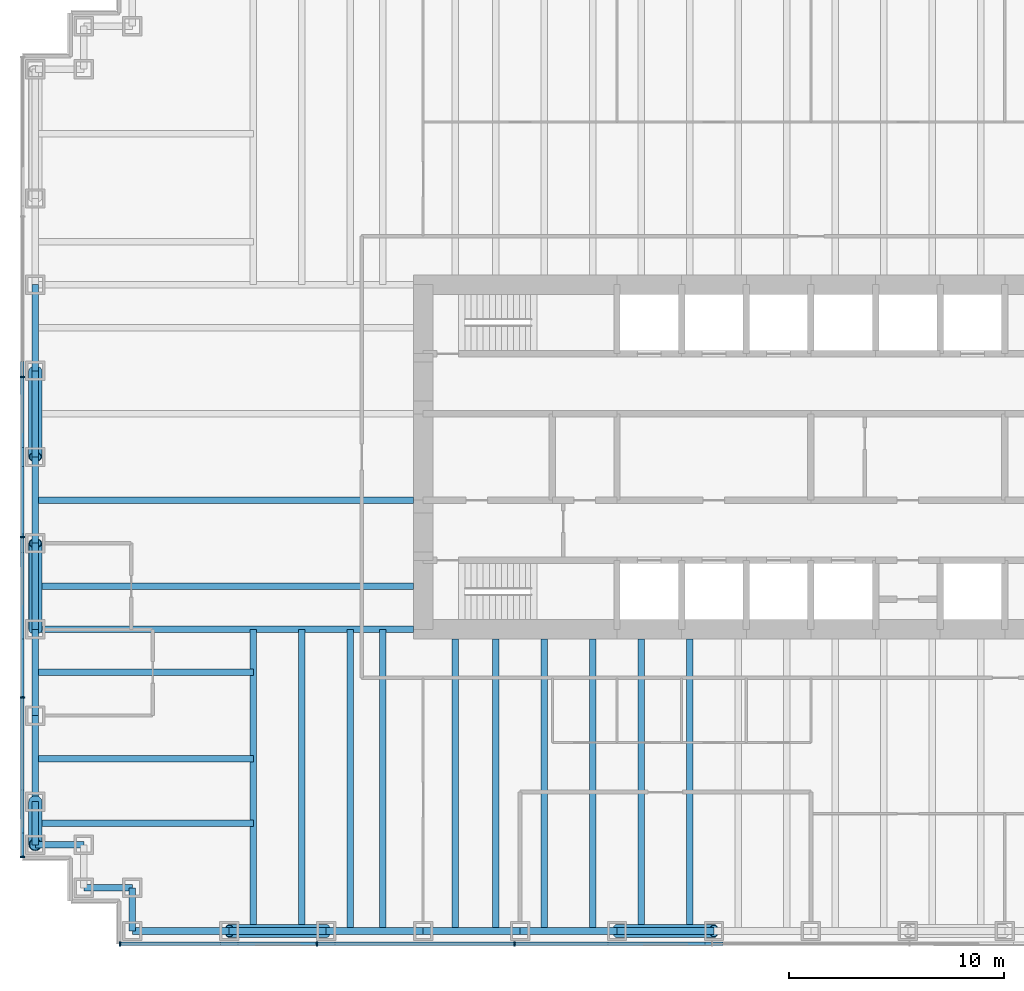
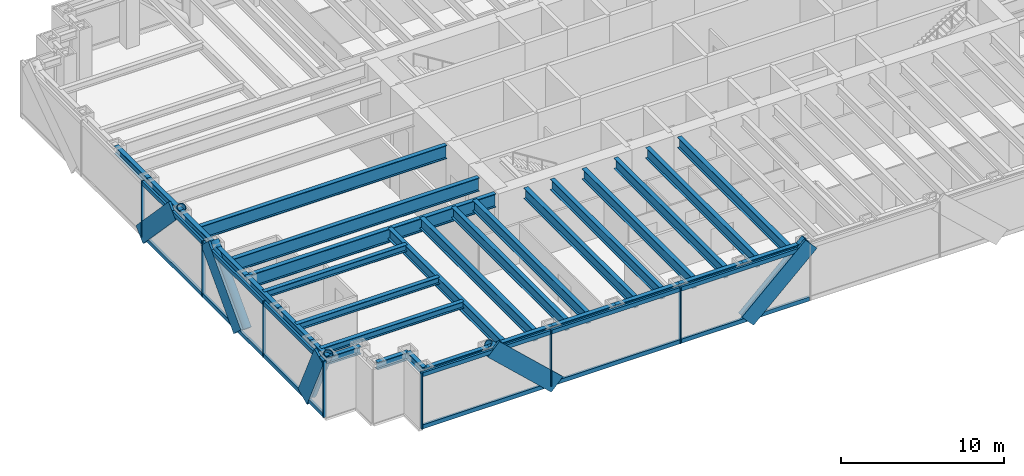
# One storey, part 2 of 15: 32 beams, 29 members, 2 elements without a shape of their own.
"""IFC4 building model written with IfcOpenShell, lengths in metres."""

from ifc_helpers import new_model, si_unit, direction, frame, origin, origin_2d, place, context, subcontext, project, spatial, rectangle, hollow_circle, i_section, extrude, material, material_profile, profile_set, type_object, element, aggregate, save


model = new_model("IFC4")

# Units and contexts
model_context = context("Model", 3, precision=1e-05, world=origin(), true_north=direction((0.0, 1.0)))
body_context = subcontext(model_context, "Body", "Model", "MODEL_VIEW")
ifc_project = project(units=[si_unit("LENGTHUNIT", "METRE"), si_unit("AREAUNIT", "SQUARE_METRE"), si_unit("VOLUMEUNIT", "CUBIC_METRE"), si_unit("PLANEANGLEUNIT", "RADIAN"), si_unit("MASSUNIT", "GRAM", prefix="KILO")], contexts=[model_context])

# Site, building, storey
site_placement = place(None, origin())
site = spatial("IfcSite", under=ifc_project, at=site_placement, CompositionType="ELEMENT")
building_placement = place(site_placement, origin())
building = spatial("IfcBuilding", under=site, at=building_placement, Name="Rheinbord Bourse Tower", CompositionType="ELEMENT")
storey_placement = place(building_placement, frame((0.0, 0.0, 117.300048828125)))
storey = spatial("IfcBuildingStorey", under=building, at=storey_placement, Name="L25", CompositionType="ELEMENT", Elevation=117.300048828125)

# Curtain wall, members
ifc_material_1 = material(Name="Dark glass and black aluminium", Category="aluminium")
curtain_wall_type = type_object("IfcCurtainWallType", Name="CW2 DARK GLASS CURTAIN WALL", PredefinedType="USERDEFINED", material=ifc_material_1)
curtain_wall_1_placement = place(storey_placement, origin())
curtain_wall_1 = element("IfcCurtainWall", 1, at=curtain_wall_1_placement, inside=storey, type_object=curtain_wall_type, Name="Curtain wall CW2 S L25", ObjectType="UNITISED CURTAIN WALL", PredefinedType="USERDEFINED")
ifc_material_2 = material(Name="Black anodised aluminium", Category="aluminium")
ifc_material_profile_1 = material_profile(ifc_material_2, rectangle(XDim=0.159912109375, YDim=1.2099609375, at=origin_2d()), Name="CW2 DIAGONAL MULLION 1210x160")
ifc_profile_set_1 = profile_set([ifc_material_profile_1], Name="Black anodised aluminium")
member_type_1 = type_object("IfcMemberType", Name="CW2 BLACK DIAGONAL MULLION", PredefinedType="USERDEFINED", material=ifc_profile_set_1)
member_1_placement = place(storey_placement, frame((13.5, 1.39990234375, 0.0), z_axis=(-0.73105922506, 0.0, 0.682314010889), x_axis=(0.0, -1.0, 0.0)))
member_1 = element("IfcMember", 2, at=member_1_placement, type_object=member_type_1, Name="CW2 diagonal mullion a", ObjectType="DIAGONAL MULLION", PredefinedType="USERDEFINED", context=body_context, shape_type="SweptSolid", body=[
    extrude(rectangle(XDim=0.159912109375, YDim=1.2099609375, at=origin_2d()), origin(), (0.0, 0.0, 1.0), 6.155517578125),
])
member_2_placement = place(storey_placement, frame((27.0, 1.39990234375, 0.0), z_axis=(0.73105922506, 0.0, 0.682314010889), x_axis=(0.0, 1.0, 0.0)))
member_2 = element("IfcMember", 3, at=member_2_placement, type_object=member_type_1, Name="CW2 diagonal mullion c", ObjectType="DIAGONAL MULLION", PredefinedType="USERDEFINED", context=body_context, shape_type="SweptSolid", body=[
    extrude(rectangle(XDim=0.159912109375, YDim=1.2099609375, at=origin_2d()), origin(), (0.0, 0.0, 1.0), 6.155517578125),
])

curtain_wall_2_placement = place(storey_placement, origin())
curtain_wall_2 = element("IfcCurtainWall", 4, at=curtain_wall_2_placement, inside=storey, type_object=curtain_wall_type, Name="Curtain wall CW2 W L25", ObjectType="UNITISED CURTAIN WALL", PredefinedType="USERDEFINED")
member_3_placement = place(storey_placement, frame((-0.60009765625, 8.0, 0.0), z_axis=(0.0, -0.429937654825, 0.902858578607), x_axis=(1.0, 0.0, 0.0)))
member_3 = element("IfcMember", 5, at=member_3_placement, type_object=member_type_1, Name="CW2 diagonal mullion b", ObjectType="DIAGONAL MULLION", PredefinedType="USERDEFINED", context=body_context, shape_type="SweptSolid", body=[
    extrude(rectangle(XDim=0.159912109375, YDim=1.2099609375, at=origin_2d()), origin(), (0.0, 0.0, 1.0), 4.65185546875),
])
member_4_placement = place(storey_placement, frame((-0.60009765625, 28.0, 0.0), z_axis=(0.0, -0.689659376744, 0.724133926887), x_axis=(1.0, 0.0, 0.0)))
member_4 = element("IfcMember", 6, at=member_4_placement, type_object=member_type_1, Name="CW2 diagonal mullion c", ObjectType="DIAGONAL MULLION", PredefinedType="USERDEFINED", context=body_context, shape_type="SweptSolid", body=[
    extrude(rectangle(XDim=0.159912109375, YDim=1.2099609375, at=origin_2d()), origin(), (0.0, 0.0, 1.0), 5.800048828125),
])
member_5_placement = place(storey_placement, frame((-0.60009765625, 16.0, 0.0), z_axis=(0.0, 0.689659376744, 0.724133926887), x_axis=(-1.0, 0.0, 0.0)))
member_5 = element("IfcMember", 7, at=member_5_placement, type_object=member_type_1, Name="CW2 diagonal mullion d", ObjectType="DIAGONAL MULLION", PredefinedType="USERDEFINED", context=body_context, shape_type="SweptSolid", body=[
    extrude(rectangle(XDim=0.159912109375, YDim=1.2099609375, at=origin_2d()), origin(), (0.0, 0.0, 1.0), 5.800048828125),
])

# Member
ifc_material_3 = material(Name="Black anodised aluminium", Category="aluminium")
ifc_material_profile_2 = material_profile(ifc_material_3, rectangle(XDim=0.219970703125, YDim=0.070068359375, at=origin_2d()), Name="CW2 MULLION 70x220")
ifc_profile_set_2 = profile_set([ifc_material_profile_2], Name="Black anodised aluminium")
member_type_2 = type_object("IfcMemberType", Name="CW2 BLACK MULLION", PredefinedType="MULLION", material=ifc_profile_set_2)
member_6_placement = place(storey_placement, frame((3.93505859375, 1.39990234375, 0.0), z_axis=(0.0, 0.0, 1.0), x_axis=(0.0, 1.0, 0.0)))
member_6 = element("IfcMember", 8, at=member_6_placement, type_object=member_type_2, Name="CW2 mullion 1", PredefinedType="MULLION", context=body_context, shape_type="SweptSolid", body=[
    extrude(rectangle(XDim=0.219970703125, YDim=0.070068359375, at=origin_2d()), origin(), (0.0, 0.0, 1.0), 4.199951171875),
])

member_7_placement = place(storey_placement, frame((13.071533203125, 1.39990234375, 0.0), z_axis=(0.0, 0.0, 1.0), x_axis=(0.0, 1.0, 0.0)))
member_7 = element("IfcMember", 9, at=member_7_placement, type_object=member_type_2, Name="CW2 mullion 2", PredefinedType="MULLION", context=body_context, shape_type="SweptSolid", body=[
    extrude(rectangle(XDim=0.219970703125, YDim=0.070068359375, at=origin_2d()), origin(), (0.0, 0.0, 1.0), 4.199951171875),
])

member_8_placement = place(storey_placement, frame((22.242919921875, 1.39990234375, 0.0), z_axis=(0.0, 0.0, 1.0), x_axis=(0.0, 1.0, 0.0)))
member_8 = element("IfcMember", 10, at=member_8_placement, type_object=member_type_2, Name="CW2 mullion 3", PredefinedType="MULLION", context=body_context, shape_type="SweptSolid", body=[
    extrude(rectangle(XDim=0.219970703125, YDim=0.070068359375, at=origin_2d()), origin(), (0.0, 0.0, 1.0), 4.199951171875),
])

member_9_placement = place(storey_placement, frame((-0.60009765625, 27.719970703125, 0.0), z_axis=(0.0, 0.0, 1.0), x_axis=(1.0, 0.0, 0.0)))
member_9 = element("IfcMember", 11, at=member_9_placement, type_object=member_type_2, Name="CW2 mullion 3", PredefinedType="MULLION", context=body_context, shape_type="SweptSolid", body=[
    extrude(rectangle(XDim=0.219970703125, YDim=0.070068359375, at=origin_2d()), origin(), (0.0, 0.0, 1.0), 4.199951171875),
])

member_10_placement = place(storey_placement, frame((-0.60009765625, 20.280029296875, 0.0), z_axis=(0.0, 0.0, 1.0), x_axis=(1.0, 0.0, 0.0)))
member_10 = element("IfcMember", 12, at=member_10_placement, type_object=member_type_2, Name="CW2 mullion 4", PredefinedType="MULLION", context=body_context, shape_type="SweptSolid", body=[
    extrude(rectangle(XDim=0.219970703125, YDim=0.070068359375, at=origin_2d()), origin(), (0.0, 0.0, 1.0), 4.199951171875),
])

member_11_placement = place(storey_placement, frame((-0.60009765625, 12.840087890625, 0.0), z_axis=(0.0, 0.0, 1.0), x_axis=(1.0, 0.0, 0.0)))
member_11 = element("IfcMember", 13, at=member_11_placement, type_object=member_type_2, Name="CW2 mullion 5", PredefinedType="MULLION", context=body_context, shape_type="SweptSolid", body=[
    extrude(rectangle(XDim=0.219970703125, YDim=0.070068359375, at=origin_2d()), origin(), (0.0, 0.0, 1.0), 4.199951171875),
])

member_12_placement = place(storey_placement, frame((-0.60009765625, 5.43505859375, 0.0), z_axis=(0.0, 0.0, 1.0), x_axis=(1.0, 0.0, 0.0)))
member_12 = element("IfcMember", 14, at=member_12_placement, type_object=member_type_2, Name="CW2 mullion 6", PredefinedType="MULLION", context=body_context, shape_type="SweptSolid", body=[
    extrude(rectangle(XDim=0.219970703125, YDim=0.070068359375, at=origin_2d()), origin(), (0.0, 0.0, 1.0), 4.199951171875),
])

ifc_material_4 = material(Name="Black anodised aluminium", Category="aluminium")
ifc_material_profile_3 = material_profile(ifc_material_4, rectangle(XDim=0.159912109375, YDim=0.300048828125, at=origin_2d()), Name="CW2 TRANSOM 300x160")
ifc_profile_set_3 = profile_set([ifc_material_profile_3], Name="Black anodised aluminium")
member_type_3 = type_object("IfcMemberType", Name="CW2 BLACK TRANSOM", PredefinedType="USERDEFINED", material=ifc_profile_set_3)
member_13_placement = place(storey_placement, frame((3.969970703125, 1.39990234375, 0.14990234375), z_axis=(1.0, 0.0, 0.0), x_axis=(0.0, 1.0, 0.0)))
member_13 = element("IfcMember", 15, at=member_13_placement, type_object=member_type_3, Name="CW2 transom 1.1", ObjectType="TRANSOM", PredefinedType="USERDEFINED", context=body_context, shape_type="SweptSolid", body=[
    extrude(rectangle(XDim=0.159912109375, YDim=0.300048828125, at=origin_2d()), origin(), (0.0, 0.0, 1.0), 9.06640625),
])

member_14_placement = place(storey_placement, frame((3.969970703125, 1.39990234375, 4.050048828125), z_axis=(1.0, 0.0, 0.0), x_axis=(0.0, 1.0, 0.0)))
member_14 = element("IfcMember", 16, at=member_14_placement, type_object=member_type_3, Name="CW2 transom 1.2", ObjectType="TRANSOM", PredefinedType="USERDEFINED", context=body_context, shape_type="SweptSolid", body=[
    extrude(rectangle(XDim=0.159912109375, YDim=0.300048828125, at=origin_2d()), origin(), (0.0, 0.0, 1.0), 9.06640625),
])

member_15_placement = place(storey_placement, frame((13.1064453125, 1.39990234375, 0.14990234375), z_axis=(1.0, 0.0, 0.0), x_axis=(0.0, 1.0, 0.0)))
member_15 = element("IfcMember", 17, at=member_15_placement, type_object=member_type_3, Name="CW2 transom 2.1", ObjectType="TRANSOM", PredefinedType="USERDEFINED", context=body_context, shape_type="SweptSolid", body=[
    extrude(rectangle(XDim=0.159912109375, YDim=0.300048828125, at=origin_2d()), origin(), (0.0, 0.0, 1.0), 9.101318359375),
])

member_16_placement = place(storey_placement, frame((13.1064453125, 1.39990234375, 4.050048828125), z_axis=(1.0, 0.0, 0.0), x_axis=(0.0, 1.0, 0.0)))
member_16 = element("IfcMember", 18, at=member_16_placement, type_object=member_type_3, Name="CW2 transom 2.2", ObjectType="TRANSOM", PredefinedType="USERDEFINED", context=body_context, shape_type="SweptSolid", body=[
    extrude(rectangle(XDim=0.159912109375, YDim=0.300048828125, at=origin_2d()), origin(), (0.0, 0.0, 1.0), 9.101318359375),
])

member_17_placement = place(storey_placement, frame((22.27783203125, 1.39990234375, 0.14990234375), z_axis=(1.0, 0.0, 0.0), x_axis=(0.0, 1.0, 0.0)))
member_17 = element("IfcMember", 19, at=member_17_placement, type_object=member_type_3, Name="CW2 transom 3.1", ObjectType="TRANSOM", PredefinedType="USERDEFINED", context=body_context, shape_type="SweptSolid", body=[
    extrude(rectangle(XDim=0.159912109375, YDim=0.300048828125, at=origin_2d()), origin(), (0.0, 0.0, 1.0), 9.1015625),
])

member_18_placement = place(storey_placement, frame((22.27783203125, 1.39990234375, 4.050048828125), z_axis=(1.0, 0.0, 0.0), x_axis=(0.0, 1.0, 0.0)))
member_18 = element("IfcMember", 20, at=member_18_placement, type_object=member_type_3, Name="CW2 transom 3.2", ObjectType="TRANSOM", PredefinedType="USERDEFINED", context=body_context, shape_type="SweptSolid", body=[
    extrude(rectangle(XDim=0.159912109375, YDim=0.300048828125, at=origin_2d()), origin(), (0.0, 0.0, 1.0), 9.1015625),
])

aggregate(curtain_wall_1, [member_6, member_7, member_8, member_13, member_14, member_15, member_16, member_17, member_18, member_1, member_2])

member_19_placement = place(storey_placement, frame((-0.60009765625, 27.68505859375, 0.14990234375), z_axis=(0.0, -1.0, 0.0), x_axis=(1.0, 0.0, 0.0)))
member_19 = element("IfcMember", 21, at=member_19_placement, type_object=member_type_3, Name="CW2 transom 3.1", ObjectType="TRANSOM", PredefinedType="USERDEFINED", context=body_context, shape_type="SweptSolid", body=[
    extrude(rectangle(XDim=0.159912109375, YDim=0.300048828125, at=origin_2d()), origin(), (0.0, 0.0, 1.0), 7.3701171875),
])

member_20_placement = place(storey_placement, frame((-0.60009765625, 27.68505859375, 4.050048828125), z_axis=(0.0, -1.0, 0.0), x_axis=(1.0, 0.0, 0.0)))
member_20 = element("IfcMember", 22, at=member_20_placement, type_object=member_type_3, Name="CW2 transom 3.2", ObjectType="TRANSOM", PredefinedType="USERDEFINED", context=body_context, shape_type="SweptSolid", body=[
    extrude(rectangle(XDim=0.159912109375, YDim=0.300048828125, at=origin_2d()), origin(), (0.0, 0.0, 1.0), 7.3701171875),
])

member_21_placement = place(storey_placement, frame((-0.60009765625, 20.2451171875, 0.14990234375), z_axis=(0.0, -1.0, 0.0), x_axis=(1.0, 0.0, 0.0)))
member_21 = element("IfcMember", 23, at=member_21_placement, type_object=member_type_3, Name="CW2 transom 4.1", ObjectType="TRANSOM", PredefinedType="USERDEFINED", context=body_context, shape_type="SweptSolid", body=[
    extrude(rectangle(XDim=0.159912109375, YDim=0.300048828125, at=origin_2d()), origin(), (0.0, 0.0, 1.0), 7.3701171875),
])

member_22_placement = place(storey_placement, frame((-0.60009765625, 20.2451171875, 4.050048828125), z_axis=(0.0, -1.0, 0.0), x_axis=(1.0, 0.0, 0.0)))
member_22 = element("IfcMember", 24, at=member_22_placement, type_object=member_type_3, Name="CW2 transom 4.2", ObjectType="TRANSOM", PredefinedType="USERDEFINED", context=body_context, shape_type="SweptSolid", body=[
    extrude(rectangle(XDim=0.159912109375, YDim=0.300048828125, at=origin_2d()), origin(), (0.0, 0.0, 1.0), 7.3701171875),
])

member_23_placement = place(storey_placement, frame((-0.60009765625, 12.804931640625, 0.14990234375), z_axis=(0.0, -1.0, 0.0), x_axis=(1.0, 0.0, 0.0)))
member_23 = element("IfcMember", 25, at=member_23_placement, type_object=member_type_3, Name="CW2 transom 5.1", ObjectType="TRANSOM", PredefinedType="USERDEFINED", context=body_context, shape_type="SweptSolid", body=[
    extrude(rectangle(XDim=0.159912109375, YDim=0.300048828125, at=origin_2d()), origin(), (0.0, 0.0, 1.0), 7.3349609375),
])

member_24_placement = place(storey_placement, frame((-0.60009765625, 12.804931640625, 4.050048828125), z_axis=(0.0, -1.0, 0.0), x_axis=(1.0, 0.0, 0.0)))
member_24 = element("IfcMember", 26, at=member_24_placement, type_object=member_type_3, Name="CW2 transom 5.2", ObjectType="TRANSOM", PredefinedType="USERDEFINED", context=body_context, shape_type="SweptSolid", body=[
    extrude(rectangle(XDim=0.159912109375, YDim=0.300048828125, at=origin_2d()), origin(), (0.0, 0.0, 1.0), 7.3349609375),
])

aggregate(curtain_wall_2, [member_9, member_10, member_11, member_12, member_19, member_20, member_21, member_22, member_23, member_24, member_3, member_4, member_5])

# Beams
ifc_material_5 = material(Name="Steel S460", Category="steel")
ifc_material_profile_4 = material_profile(ifc_material_5, i_section(OverallWidth=0.302001953125, OverallDepth=1.008056640625, WebThickness=0.02099609375, FlangeThickness=0.0400390625, at=origin_2d()), Name="HEM 1000")
ifc_profile_set_4 = profile_set([ifc_material_profile_4], Name="Steel S460")
beam_type_1 = type_object("IfcBeamType", Name="END BEAM HEM 1000", PredefinedType="BEAM", material=ifc_profile_set_4)
for number, where, z_axis, x_axis, name in (
    (27, (0.0, 18.0, 3.535888671875), (1.0, 0.0, 0.0), (0.0, 1.0, 0.0), "End beam west 18 L26"),
    (28, (0.0, 22.0, 3.535888671875), (1.0, 0.0, 0.0), (0.0, 1.0, 0.0), "End beam west 22 L26"),
):
    element("IfcBeam", number, at=place(storey_placement, frame(where, z_axis=z_axis, x_axis=x_axis)), inside=storey, type_object=beam_type_1, Name=name, PredefinedType="BEAM", context=body_context, shape_type="SweptSolid", body=[
        extrude(i_section(OverallWidth=0.302001953125, OverallDepth=1.008056640625, WebThickness=0.02099609375, FlangeThickness=0.0400390625, at=origin_2d()), origin(), (0.0, 0.0, 1.0), 17.550048828125),
    ])
ifc_material_6 = material(Name="Steel S460", Category="steel")
ifc_material_profile_5 = material_profile(ifc_material_6, i_section(OverallWidth=0.300048828125, OverallDepth=0.800048828125, WebThickness=0.017578125, FlangeThickness=0.032958984375, at=origin_2d()), Name="HEB 800")
ifc_profile_set_5 = profile_set([ifc_material_profile_5], Name="Steel S460")
beam_type_2 = type_object("IfcBeamType", Name="FLOOR BEAM HEB 800", PredefinedType="BEAM", material=ifc_profile_set_5)
for number, where, z_axis, x_axis, name in (
    (29, (10.125, 2.0, 3.639892578125), (0.0, 1.0, 0.0), (-1.0, 0.0, 0.0), "Floor beam S-9a L26"),
    (30, (12.375, 2.0, 3.639892578125), (0.0, 1.0, 0.0), (-1.0, 0.0, 0.0), "Floor beam S-9b L26"),
    (31, (14.625, 2.0, 3.639892578125), (0.0, 1.0, 0.0), (-1.0, 0.0, 0.0), "Floor beam S-13.5a L26"),
    (32, (16.125, 2.0, 3.639892578125), (0.0, 1.0, 0.0), (-1.0, 0.0, 0.0), "Floor beam S-13.5b L26"),
):
    element("IfcBeam", number, at=place(storey_placement, frame(where, z_axis=z_axis, x_axis=x_axis)), inside=storey, type_object=beam_type_2, Name=name, PredefinedType="BEAM", context=body_context, shape_type="SweptSolid", body=[
        extrude(i_section(OverallWidth=0.300048828125, OverallDepth=0.800048828125, WebThickness=0.017578125, FlangeThickness=0.032958984375, at=origin_2d()), origin(), (0.0, 0.0, 1.0), 14.0),
    ])
for number, where, z_axis, x_axis, name in (
    (33, (19.5, 2.0, 3.639892578125), (0.0, 1.0, 0.0), (-1.0, 0.0, 0.0), "Floor beam S-18a L26"),
    (34, (21.375, 2.0, 3.639892578125), (0.0, 1.0, 0.0), (-1.0, 0.0, 0.0), "Floor beam S-18b L26"),
    (35, (23.625, 2.0, 3.639892578125), (0.0, 1.0, 0.0), (-1.0, 0.0, 0.0), "Floor beam S-22.5a L26"),
    (36, (25.875, 2.0, 3.639892578125), (0.0, 1.0, 0.0), (-1.0, 0.0, 0.0), "Floor beam S-22.5b L26"),
    (37, (28.125, 2.0, 3.639892578125), (0.0, 1.0, 0.0), (-1.0, 0.0, 0.0), "Floor beam S-27a L26"),
    (38, (30.375, 2.0, 3.639892578125), (0.0, 1.0, 0.0), (-1.0, 0.0, 0.0), "Floor beam S-27b L26"),
):
    element("IfcBeam", number, at=place(storey_placement, frame(where, z_axis=z_axis, x_axis=x_axis)), inside=storey, type_object=beam_type_2, Name=name, PredefinedType="BEAM", context=body_context, shape_type="SweptSolid", body=[
        extrude(i_section(OverallWidth=0.300048828125, OverallDepth=0.800048828125, WebThickness=0.017578125, FlangeThickness=0.032958984375, at=origin_2d()), origin(), (0.0, 0.0, 1.0), 13.550048828125),
    ])
ifc_material_7 = material(Name="Steel S460", Category="steel")
ifc_material_profile_6 = material_profile(ifc_material_7, i_section(OverallWidth=0.302001953125, OverallDepth=1.008056640625, WebThickness=0.02099609375, FlangeThickness=0.0400390625, at=origin_2d()), Name="HEM 1000")
ifc_profile_set_6 = profile_set([ifc_material_profile_6], Name="Steel S460")
beam_type_3 = type_object("IfcBeamType", Name="GIRDER HEM 1000", PredefinedType="BEAM", material=ifc_profile_set_6)
beam_1_placement = place(storey_placement, frame((0.0, 16.0, 3.535888671875), z_axis=(1.0, 0.0, 0.0), x_axis=(0.0, 1.0, 0.0)))
element("IfcBeam", 39, at=beam_1_placement, inside=storey, type_object=beam_type_3, Name="Girder west 16 L26", PredefinedType="BEAM", context=body_context, shape_type="SweptSolid", body=[
    extrude(i_section(OverallWidth=0.302001953125, OverallDepth=1.008056640625, WebThickness=0.02099609375, FlangeThickness=0.0400390625, at=origin_2d()), origin(), (0.0, 0.0, 1.0), 17.550048828125),
])

# Members
ifc_material_8 = material(Name="Steel S460", Category="steel")
ifc_material_profile_7 = material_profile(ifc_material_8, hollow_circle(Radius=0.304931640625, WallThickness=0.0400390625, at=origin_2d()), Name="CHS 610x40")
ifc_profile_set_7 = profile_set([ifc_material_profile_7], Name="Steel S460")
member_type_4 = type_object("IfcMemberType", Name="MEGABRACE CHS 610x40", PredefinedType="BRACE", material=ifc_profile_set_7)
for number, where, z_axis, x_axis, name in (
    (40, (13.5, 2.0, 0.0), (-0.73105922506, 0.0, 0.682314010889), (0.0, -1.0, 0.0), "Megabrace S face line a L25"),
    (41, (27.0, 2.0, 0.0), (0.73105922506, 0.0, 0.682314010889), (0.0, 1.0, 0.0), "Megabrace S face line c L25"),
):
    element("IfcMember", number, at=place(storey_placement, frame(where, z_axis=z_axis, x_axis=x_axis)), inside=storey, type_object=member_type_4, Name=name, PredefinedType="BRACE", context=body_context, shape_type="SweptSolid", body=[
        extrude(hollow_circle(Radius=0.304931640625, WallThickness=0.0400390625, at=origin_2d()), origin(), (0.0, 0.0, 1.0), 6.155517578125),
    ])
member_25_placement = place(storey_placement, frame((0.0, 8.0, 0.0), z_axis=(0.0, -0.429937654825, 0.902858578607), x_axis=(1.0, 0.0, 0.0)))
element("IfcMember", 42, at=member_25_placement, inside=storey, type_object=member_type_4, Name="Megabrace W face line b L25", PredefinedType="BRACE", context=body_context, shape_type="SweptSolid", body=[
    extrude(hollow_circle(Radius=0.304931640625, WallThickness=0.0400390625, at=origin_2d()), origin(), (0.0, 0.0, 1.0), 4.65185546875),
])
for number, where, z_axis, x_axis, name in (
    (43, (0.0, 28.0, 0.0), (0.0, -0.689659376744, 0.724133926887), (1.0, 0.0, 0.0), "Megabrace W face line c L25"),
    (44, (0.0, 16.0, 0.0), (0.0, 0.689659376744, 0.724133926887), (-1.0, 0.0, 0.0), "Megabrace W face line d L25"),
):
    element("IfcMember", number, at=place(storey_placement, frame(where, z_axis=z_axis, x_axis=x_axis)), inside=storey, type_object=member_type_4, Name=name, PredefinedType="BRACE", context=body_context, shape_type="SweptSolid", body=[
        extrude(hollow_circle(Radius=0.304931640625, WallThickness=0.0400390625, at=origin_2d()), origin(), (0.0, 0.0, 1.0), 5.800048828125),
    ])

# Beams
ifc_material_9 = material(Name="Steel S460", Category="steel")
ifc_material_profile_8 = material_profile(ifc_material_9, i_section(OverallWidth=0.305908203125, OverallDepth=0.572021484375, WebThickness=0.02099609375, FlangeThickness=0.0400390625, at=origin_2d()), Name="HEM 550")
ifc_profile_set_8 = profile_set([ifc_material_profile_8], Name="Steel S460")
beam_type_4 = type_object("IfcBeamType", Name="SPANDREL HEM 550", PredefinedType="SPANDREL", material=ifc_profile_set_8)
for number, where, z_axis, x_axis, name in (
    (45, (4.5, 2.0, 3.75390625), (1.0, 0.0, 0.0), (0.0, 1.0, 0.0), "Spandrel SW-E-S-9 under L26"),
    (46, (9.0, 2.0, 3.75390625), (1.0, 0.0, 0.0), (0.0, 1.0, 0.0), "Spandrel S-9-S-13.5 under L26"),
    (47, (13.5, 2.0, 3.75390625), (1.0, 0.0, 0.0), (0.0, 1.0, 0.0), "Spandrel S-13.5-S-18 under L26"),
    (48, (18.0, 2.0, 3.75390625), (1.0, 0.0, 0.0), (0.0, 1.0, 0.0), "Spandrel S-18-S-22.5 under L26"),
    (49, (22.5, 2.0, 3.75390625), (1.0, 0.0, 0.0), (0.0, 1.0, 0.0), "Spandrel S-22.5-S-27 under L26"),
    (50, (27.0, 2.0, 3.75390625), (1.0, 0.0, 0.0), (0.0, 1.0, 0.0), "Spandrel S-27-S-31.5 under L26"),
):
    element("IfcBeam", number, at=place(storey_placement, frame(where, z_axis=z_axis, x_axis=x_axis)), inside=storey, type_object=beam_type_4, Name=name, PredefinedType="SPANDREL", context=body_context, shape_type="SweptSolid", body=[
        extrude(i_section(OverallWidth=0.305908203125, OverallDepth=0.572021484375, WebThickness=0.02099609375, FlangeThickness=0.0400390625, at=origin_2d()), origin(), (0.0, 0.0, 1.0), 4.5),
    ])
for number, where, z_axis, x_axis, name in (
    (51, (0.0, 32.0, 3.75390625), (0.0, -1.0, 0.0), (1.0, 0.0, 0.0), "Spandrel W-32-W-28 under L26"),
    (52, (0.0, 28.0, 3.75390625), (0.0, -1.0, 0.0), (1.0, 0.0, 0.0), "Spandrel W-28-W-24 under L26"),
    (53, (0.0, 24.0, 3.75390625), (0.0, -1.0, 0.0), (1.0, 0.0, 0.0), "Spandrel W-24-W-20 under L26"),
    (54, (0.0, 20.0, 3.75390625), (0.0, -1.0, 0.0), (1.0, 0.0, 0.0), "Spandrel W-20-W-16 under L26"),
    (55, (0.0, 16.0, 3.75390625), (0.0, -1.0, 0.0), (1.0, 0.0, 0.0), "Spandrel W-16-W-12 under L26"),
    (56, (0.0, 12.0, 3.75390625), (0.0, -1.0, 0.0), (1.0, 0.0, 0.0), "Spandrel W-12-W-8 under L26"),
):
    element("IfcBeam", number, at=place(storey_placement, frame(where, z_axis=z_axis, x_axis=x_axis)), inside=storey, type_object=beam_type_4, Name=name, PredefinedType="SPANDREL", context=body_context, shape_type="SweptSolid", body=[
        extrude(i_section(OverallWidth=0.305908203125, OverallDepth=0.572021484375, WebThickness=0.02099609375, FlangeThickness=0.0400390625, at=origin_2d()), origin(), (0.0, 0.0, 1.0), 4.0),
    ])
beam_2_placement = place(storey_placement, frame((0.0, 8.0, 3.75390625), z_axis=(0.0, -1.0, 0.0), x_axis=(1.0, 0.0, 0.0)))
element("IfcBeam", 57, at=beam_2_placement, inside=storey, type_object=beam_type_4, Name="Spandrel W-8-SW-A under L26", PredefinedType="SPANDREL", context=body_context, shape_type="SweptSolid", body=[
    extrude(i_section(OverallWidth=0.305908203125, OverallDepth=0.572021484375, WebThickness=0.02099609375, FlangeThickness=0.0400390625, at=origin_2d()), origin(), (0.0, 0.0, 1.0), 2.0),
])
for number, where, z_axis, x_axis, name in (
    (58, (0.0, 6.0, 3.75390625), (1.0, 0.0, 0.0), (0.0, 1.0, 0.0), "Spandrel SW-A-SW-B under L26"),
    (59, (2.25, 4.0, 3.75390625), (1.0, 0.0, 0.0), (0.0, 1.0, 0.0), "Spandrel SW-C-SW-D under L26"),
):
    element("IfcBeam", number, at=place(storey_placement, frame(where, z_axis=z_axis, x_axis=x_axis)), inside=storey, type_object=beam_type_4, Name=name, PredefinedType="SPANDREL", context=body_context, shape_type="SweptSolid", body=[
        extrude(i_section(OverallWidth=0.305908203125, OverallDepth=0.572021484375, WebThickness=0.02099609375, FlangeThickness=0.0400390625, at=origin_2d()), origin(), (0.0, 0.0, 1.0), 2.25),
    ])
beam_3_placement = place(storey_placement, frame((4.5, 4.0, 3.75390625), z_axis=(0.0, -1.0, 0.0), x_axis=(1.0, 0.0, 0.0)))
element("IfcBeam", 60, at=beam_3_placement, inside=storey, type_object=beam_type_4, Name="Spandrel SW-D-SW-E under L26", PredefinedType="SPANDREL", context=body_context, shape_type="SweptSolid", body=[
    extrude(i_section(OverallWidth=0.305908203125, OverallDepth=0.572021484375, WebThickness=0.02099609375, FlangeThickness=0.0400390625, at=origin_2d()), origin(), (0.0, 0.0, 1.0), 2.0),
])
ifc_material_10 = material(Name="Steel S460", Category="steel")
ifc_material_profile_9 = material_profile(ifc_material_10, i_section(OverallWidth=0.300048828125, OverallDepth=0.5, WebThickness=0.014404296875, FlangeThickness=0.028076171875, at=origin_2d()), Name="HEB 500")
ifc_profile_set_9 = profile_set([ifc_material_profile_9], Name="Steel S460")
beam_type_5 = type_object("IfcBeamType", Name="TIE BEAM HEB 500", PredefinedType="JOIST", material=ifc_profile_set_9)
for number, where, z_axis, x_axis, name in (
    (61, (0.0, 7.0, 3.7900390625), (1.0, 0.0, 0.0), (0.0, 1.0, 0.0), "Tie west 7 L26"),
    (62, (0.0, 10.0, 3.7900390625), (1.0, 0.0, 0.0), (0.0, 1.0, 0.0), "Tie west 10 L26"),
    (63, (0.0, 14.0, 3.7900390625), (1.0, 0.0, 0.0), (0.0, 1.0, 0.0), "Tie west 14 L26"),
):
    element("IfcBeam", number, at=place(storey_placement, frame(where, z_axis=z_axis, x_axis=x_axis)), inside=storey, type_object=beam_type_5, Name=name, PredefinedType="JOIST", context=body_context, shape_type="SweptSolid", body=[
        extrude(i_section(OverallWidth=0.300048828125, OverallDepth=0.5, WebThickness=0.014404296875, FlangeThickness=0.028076171875, at=origin_2d()), origin(), (0.0, 0.0, 1.0), 10.125),
    ])

save(model, "model.ifc")
